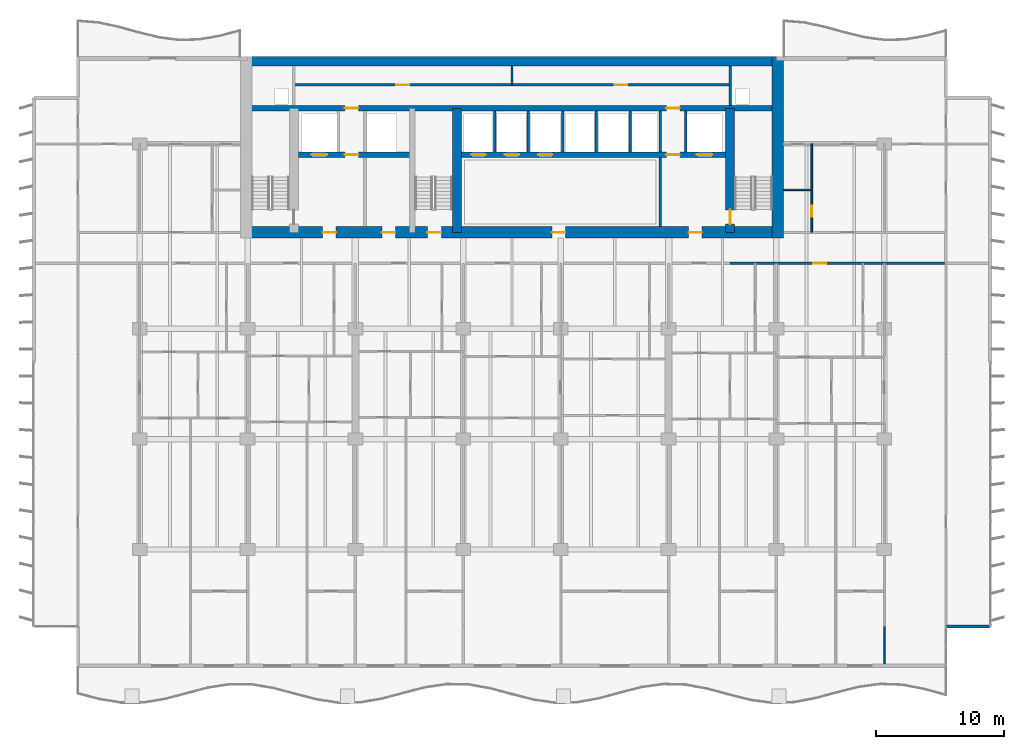
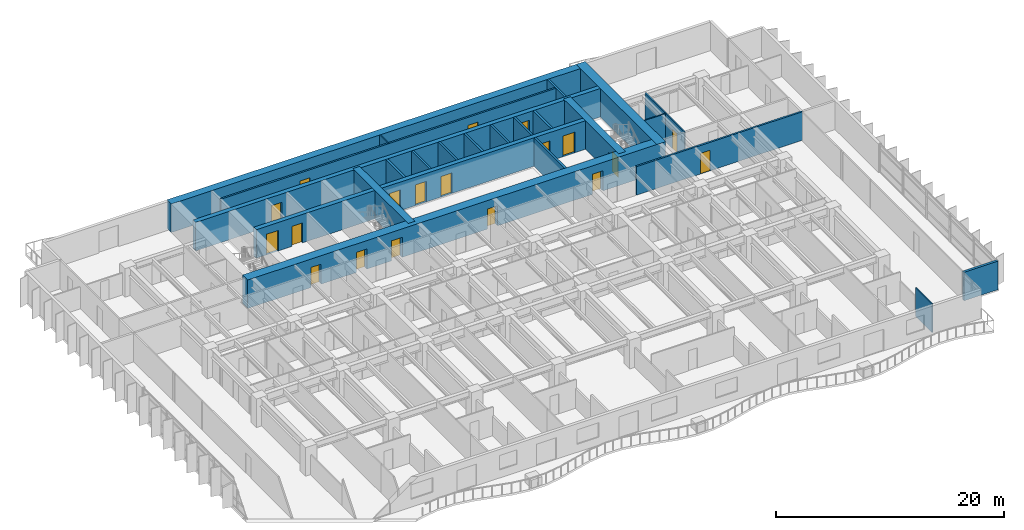
# One storey, part 11 of 17: 23 walls, 19 doors, 19 openings.
"""IFC4 building model written with IfcOpenShell, lengths in metres."""

from ifc_helpers import new_model, si_unit, direction, frame, frame_2d, origin, place, context, subcontext, project, spatial, rectangle, extrude, material, layer, layer_set, type_object, element, fill, save


model = new_model("IFC4")

# Units and contexts
model_context = context("Model", 3, precision=1e-05, world=origin(), true_north=direction((0.0, 1.0)))
body_context = subcontext(model_context, "Body", "Model", "MODEL_VIEW")
ifc_project = project(units=[si_unit("LENGTHUNIT", "METRE"), si_unit("AREAUNIT", "SQUARE_METRE"), si_unit("VOLUMEUNIT", "CUBIC_METRE"), si_unit("PLANEANGLEUNIT", "RADIAN"), si_unit("MASSUNIT", "GRAM", prefix="KILO")], contexts=[model_context])

# Site, building, storey
site_placement = place(None, origin())
site = spatial("IfcSite", under=ifc_project, at=site_placement, CompositionType="ELEMENT")
building_placement = place(site_placement, origin())
building = spatial("IfcBuilding", under=site, at=building_placement, Name="Caelmar Bay Residences", CompositionType="ELEMENT")
storey_placement = place(building_placement, frame((0.0, 0.0, 30.0)))
storey = spatial("IfcBuildingStorey", under=building, at=storey_placement, Name="L06", CompositionType="ELEMENT", Elevation=30.0)

# Wall, opening, door
ifc_material_1 = material(Name="Concrete f'c 55 MPa (8,000 psi)", Category="concrete")
ifc_layer_1 = layer(ifc_material_1, 0.699951171875)
ifc_layer_set_1 = layer_set([ifc_layer_1], Name="Concrete f'c 55 MPa (8,000 psi)")
wall_type_1 = type_object("IfcWallType", Name="SW-COR-700", PredefinedType="SHEAR", material=ifc_layer_set_1)
wall_1_placement = place(storey_placement, frame((55.89990234375, 36.89990234375, 0.0), z_axis=(0.0, 0.0, 1.0), x_axis=(0.0, 1.0, 0.0)))
wall_1 = element("IfcWall", 1, at=wall_1_placement, inside=storey, type_object=wall_type_1, Name="L06 Core Structural Web Wall ST2W", PredefinedType="SHEAR", context=body_context, shape_type="SweptSolid", body=[
    extrude(rectangle(XDim=9.675048828125, YDim=0.699951171875, at=frame_2d((4.83740234375, 0.0))), origin(), (0.0, 0.0, 1.0), 3.050048828125),
])
opening_1_placement = place(wall_1_placement, frame((0.64990234375, 0.0, 0.0)))
opening_1 = element("IfcOpeningElement", 2, at=opening_1_placement, cuts=wall_1, Name="Opening D-L06-111", PredefinedType="OPENING", context=body_context, shape_type="SweptSolid", body=[
    extrude(rectangle(XDim=1.10009765625, YDim=2.14990234375, at=frame_2d((0.550048828125, 1.074951171875))), frame((0.0, 0.35986328125, 0.0), z_axis=(0.0, -1.0, 0.0), x_axis=(1.0, 0.0, 0.0)), (0.0, 0.0, 1.0), 0.719970703125),
])
ifc_material_2 = material(Name="Fire-rated steel and walnut architectural door assembly", Category="steel")
ifc_layer_2 = layer(ifc_material_2, 0.050048828125)
ifc_layer_set_2 = layer_set([ifc_layer_2], Name="Fire-rated steel and walnut architectural door assembly")
door_type_1 = type_object("IfcDoorType", Name="D-STAIR-1100", OperationType="NOTDEFINED", PredefinedType="DOOR", material=ifc_layer_set_2)
door_1_placement = place(opening_1_placement, origin())
door_1 = element("IfcDoor", 3, at=door_1_placement, inside=storey, type_object=door_type_1, Name="L06 Firefighting Lobby East Door", OperationType="SINGLE_SWING_LEFT", OverallHeight=2.14990234375, OverallWidth=1.10009765625, PredefinedType="DOOR", context=body_context, shape_type="SweptSolid", body=[
    extrude(rectangle(XDim=1.10009765625, YDim=2.14990234375, at=frame_2d((0.550048828125, 1.074951171875))), frame((0.0, 0.02490234375, 0.0), z_axis=(0.0, -1.0, 0.0), x_axis=(1.0, 0.0, 0.0)), (0.0, 0.0, 1.0), 0.050048828125),
])
fill(opening_1, door_1)

# Wall
wall_2_placement = place(storey_placement, frame((34.60009765625, 36.89990234375, 0.0), z_axis=(0.0, 0.0, 1.0), x_axis=(0.0, 1.0, 0.0)))
element("IfcWall", 4, at=wall_2_placement, inside=storey, type_object=wall_type_1, Name="L06 Core Structural Web Wall ST3E", PredefinedType="SHEAR", context=body_context, shape_type="SweptSolid", body=[
    extrude(rectangle(XDim=9.675048828125, YDim=0.699951171875, at=frame_2d((4.83740234375, 0.0))), origin(), (0.0, 0.0, 1.0), 3.050048828125),
])

# Wall, openings, doors
ifc_material_3 = material(Name="Concrete f'c 70 MPa (10,000 psi)", Category="concrete")
ifc_layer_3 = layer(ifc_material_3, 0.89990234375)
ifc_layer_set_3 = layer_set([ifc_layer_3], Name="Concrete f'c 70 MPa (10,000 psi)")
wall_type_2 = type_object("IfcWallType", Name="SW-COR-900", PredefinedType="SHEAR", material=ifc_layer_set_3)
wall_3_placement = place(storey_placement, frame((17.75, 36.89990234375, 0.0), z_axis=(0.0, 0.0, 1.0), x_axis=(1.0, 0.0, 0.0)))
wall_3 = element("IfcWall", 5, at=wall_3_placement, inside=storey, type_object=wall_type_2, Name="L06 Rear Core South Shear Wall", PredefinedType="SHEAR", context=body_context, shape_type="SweptSolid", body=[
    extrude(rectangle(XDim=42.300048828125, YDim=0.89990234375, at=frame_2d((21.14990234375, 0.0))), origin(), (0.0, 0.0, 1.0), 3.050048828125),
])
opening_2_placement = place(wall_3_placement, frame((14.550048828125, 0.0, 0.0)))
opening_2 = element("IfcOpeningElement", 6, at=opening_2_placement, cuts=wall_3, Name="Opening D-L06-106", PredefinedType="OPENING", context=body_context, shape_type="SweptSolid", body=[
    extrude(rectangle(XDim=1.10009765625, YDim=2.14990234375, at=frame_2d((0.550048828125, 1.074951171875))), frame((0.0, 0.4599609375, 0.0), z_axis=(0.0, -1.0, 0.0), x_axis=(1.0, 0.0, 0.0)), (0.0, 0.0, 1.0), 0.919921875),
])
opening_3_placement = place(wall_3_placement, frame((6.39990234375, 0.0, 0.0)))
opening_3 = element("IfcOpeningElement", 7, at=opening_3_placement, cuts=wall_3, Name="Opening D-L06-107", PredefinedType="OPENING", context=body_context, shape_type="SweptSolid", body=[
    extrude(rectangle(XDim=1.050048828125, YDim=2.14990234375, at=frame_2d((0.52490234375, 1.074951171875))), frame((0.0, 0.4599609375, 0.0), z_axis=(0.0, -1.0, 0.0), x_axis=(1.0, 0.0, 0.0)), (0.0, 0.0, 1.0), 0.919921875),
])
opening_4_placement = place(wall_3_placement, frame((34.89990234375, 0.0, 0.0)))
opening_4 = element("IfcOpeningElement", 8, at=opening_4_placement, cuts=wall_3, Name="Opening D-L06-110", PredefinedType="OPENING", context=body_context, shape_type="SweptSolid", body=[
    extrude(rectangle(XDim=1.050048828125, YDim=2.14990234375, at=frame_2d((0.52490234375, 1.074951171875))), frame((0.0, 0.4599609375, 0.0), z_axis=(0.0, -1.0, 0.0), x_axis=(1.0, 0.0, 0.0)), (0.0, 0.0, 1.0), 0.919921875),
])
opening_5_placement = place(wall_3_placement, frame((11.012451171875, 0.0, 0.0)))
opening_5 = element("IfcOpeningElement", 9, at=opening_5_placement, cuts=wall_3, Name="Opening D-L06-113", PredefinedType="OPENING", context=body_context, shape_type="SweptSolid", body=[
    extrude(rectangle(XDim=1.050048828125, YDim=2.14990234375, at=frame_2d((0.52490234375, 1.074951171875))), frame((0.0, 0.4599609375, 0.0), z_axis=(0.0, -1.0, 0.0), x_axis=(1.0, 0.0, 0.0)), (0.0, 0.0, 1.0), 0.919921875),
])
opening_6_placement = place(wall_3_placement, frame((24.25, 0.0, 0.0)))
opening_6 = element("IfcOpeningElement", 10, at=opening_6_placement, cuts=wall_3, Name="Opening D-L06-114", PredefinedType="OPENING", context=body_context, shape_type="SweptSolid", body=[
    extrude(rectangle(XDim=1.050048828125, YDim=2.14990234375, at=frame_2d((0.52490234375, 1.074951171875))), frame((0.0, 0.4599609375, 0.0), z_axis=(0.0, -1.0, 0.0), x_axis=(1.0, 0.0, 0.0)), (0.0, 0.0, 1.0), 0.919921875),
])
ifc_layer_4 = layer(ifc_material_2, 0.050048828125)
ifc_layer_set_4 = layer_set([ifc_layer_4], Name="Fire-rated steel and walnut architectural door assembly")
door_type_2 = type_object("IfcDoorType", Name="D-FSAE-1050", OperationType="NOTDEFINED", PredefinedType="DOOR", material=ifc_layer_set_4)
door_2_placement = place(opening_3_placement, origin())
door_2 = element("IfcDoor", 11, at=door_2_placement, inside=storey, type_object=door_type_2, Name="L06 Firefighting Lobby West Door", OperationType="SINGLE_SWING_LEFT", OverallHeight=2.14990234375, OverallWidth=1.050048828125, PredefinedType="DOOR", context=body_context, shape_type="SweptSolid", body=[
    extrude(rectangle(XDim=1.050048828125, YDim=2.14990234375, at=frame_2d((0.52490234375, 1.074951171875))), frame((0.0, 0.02490234375, 0.0), z_axis=(0.0, -1.0, 0.0), x_axis=(1.0, 0.0, 0.0)), (0.0, 0.0, 1.0), 0.050048828125),
])
fill(opening_3, door_2)
door_3_placement = place(opening_4_placement, origin())
door_3 = element("IfcDoor", 12, at=door_3_placement, inside=storey, type_object=door_type_2, Name="L06 Firefighting Lobby East Door", OperationType="SINGLE_SWING_RIGHT", OverallHeight=2.14990234375, OverallWidth=1.050048828125, PredefinedType="DOOR", context=body_context, shape_type="SweptSolid", body=[
    extrude(rectangle(XDim=1.050048828125, YDim=2.14990234375, at=frame_2d((0.52490234375, 1.074951171875))), frame((0.0, 0.02490234375, 0.0), z_axis=(0.0, -1.0, 0.0), x_axis=(1.0, 0.0, 0.0)), (0.0, 0.0, 1.0), 0.050048828125),
])
fill(opening_4, door_3)
door_4_placement = place(opening_5_placement, origin())
door_4 = element("IfcDoor", 13, at=door_4_placement, inside=storey, type_object=door_type_2, Name="L06 West Lift Lobby Door", OperationType="SINGLE_SWING_LEFT", OverallHeight=2.14990234375, OverallWidth=1.050048828125, PredefinedType="DOOR", context=body_context, shape_type="SweptSolid", body=[
    extrude(rectangle(XDim=1.050048828125, YDim=2.14990234375, at=frame_2d((0.52490234375, 1.074951171875))), frame((0.0, 0.02490234375, 0.0), z_axis=(0.0, -1.0, 0.0), x_axis=(1.0, 0.0, 0.0)), (0.0, 0.0, 1.0), 0.050048828125),
])
fill(opening_5, door_4)
door_5_placement = place(opening_6_placement, origin())
door_5 = element("IfcDoor", 14, at=door_5_placement, inside=storey, type_object=door_type_2, Name="L06 Passenger Lift Lobby Door", OperationType="SINGLE_SWING_RIGHT", OverallHeight=2.14990234375, OverallWidth=1.050048828125, PredefinedType="DOOR", context=body_context, shape_type="SweptSolid", body=[
    extrude(rectangle(XDim=1.050048828125, YDim=2.14990234375, at=frame_2d((0.52490234375, 1.074951171875))), frame((0.0, 0.02490234375, 0.0), z_axis=(0.0, -1.0, 0.0), x_axis=(1.0, 0.0, 0.0)), (0.0, 0.0, 1.0), 0.050048828125),
])
fill(opening_6, door_5)
door_6_placement = place(opening_2_placement, origin())
door_6 = element("IfcDoor", 15, at=door_6_placement, inside=storey, type_object=door_type_1, Name="L06 Exit Stair ST3 Door", OperationType="SINGLE_SWING_RIGHT", OverallHeight=2.14990234375, OverallWidth=1.10009765625, PredefinedType="DOOR", context=body_context, shape_type="SweptSolid", body=[
    extrude(rectangle(XDim=1.10009765625, YDim=2.14990234375, at=frame_2d((0.550048828125, 1.074951171875))), frame((0.0, 0.02490234375, 0.0), z_axis=(0.0, -1.0, 0.0), x_axis=(1.0, 0.0, 0.0)), (0.0, 0.0, 1.0), 0.050048828125),
])
fill(opening_2, door_6)

# Walls
wall_4_placement = place(storey_placement, frame((59.60009765625, 36.449951171875, 0.0), z_axis=(0.0, 0.0, 1.0), x_axis=(0.0, 1.0, 0.0)))
element("IfcWall", 16, at=wall_4_placement, inside=storey, type_object=wall_type_2, Name="L06 Rear Core East Shear Wall", PredefinedType="SHEAR", context=body_context, shape_type="SweptSolid", body=[
    extrude(rectangle(XDim=14.150146484375, YDim=0.89990234375, at=frame_2d((7.0751953125, 0.0))), origin(), (0.0, 0.0, 1.0), 3.050048828125),
])
ifc_layer_5 = layer(ifc_material_3, 0.75)
ifc_layer_set_5 = layer_set([ifc_layer_5], Name="Concrete f'c 70 MPa (10,000 psi)")
wall_type_3 = type_object("IfcWallType", Name="SW-CORN-750", PredefinedType="SHEAR", material=ifc_layer_set_5)
wall_5_placement = place(storey_placement, frame((17.75, 50.22509765625, 0.0), z_axis=(0.0, 0.0, 1.0), x_axis=(1.0, 0.0, 0.0)))
element("IfcWall", 17, at=wall_5_placement, inside=storey, type_object=wall_type_3, Name="L06 Rear Core North Shear Wall", PredefinedType="SHEAR", context=body_context, shape_type="SweptSolid", body=[
    extrude(rectangle(XDim=42.300048828125, YDim=0.75, at=frame_2d((21.14990234375, 0.0))), origin(), (0.0, 0.0, 1.0), 3.050048828125),
])

# Wall, openings, doors
ifc_layer_6 = layer(ifc_material_3, 0.449951171875)
ifc_layer_set_6 = layer_set([ifc_layer_6], Name="Concrete f'c 70 MPa (10,000 psi)")
wall_type_4 = type_object("IfcWallType", Name="SW-WEB-450", PredefinedType="SHEAR", material=ifc_layer_set_6)
wall_6_placement = place(storey_placement, frame((22.25, 42.949951171875, 0.0), z_axis=(0.0, 0.0, 1.0), x_axis=(1.0, 0.0, 0.0)))
wall_6 = element("IfcWall", 18, at=wall_6_placement, inside=storey, type_object=wall_type_4, Name="L06 Core Structural Web Wall LFR", PredefinedType="SHEAR", context=body_context, shape_type="SweptSolid", body=[
    extrude(rectangle(XDim=33.300048828125, YDim=0.449951171875, at=frame_2d((16.64990234375, 0.0))), origin(), (0.0, 0.0, 1.0), 3.050048828125),
])
opening_7_placement = place(wall_6_placement, frame((1.050048828125, 0.0, 0.0)))
opening_7 = element("IfcOpeningElement", 19, at=opening_7_placement, cuts=wall_6, Name="Opening LD2", PredefinedType="OPENING", context=body_context, shape_type="SweptSolid", body=[
    extrude(rectangle(XDim=1.199951171875, YDim=2.199951171875, at=frame_2d((0.60009765625, 1.10009765625))), frame((0.0, 0.23486328125, 0.0), z_axis=(0.0, -1.0, 0.0), x_axis=(1.0, 0.0, 0.0)), (0.0, 0.0, 1.0), 0.469970703125),
])
opening_8_placement = place(wall_6_placement, frame((31.050048828125, 0.0, 0.0)))
opening_8 = element("IfcOpeningElement", 20, at=opening_8_placement, cuts=wall_6, Name="Opening LD2", PredefinedType="OPENING", context=body_context, shape_type="SweptSolid", body=[
    extrude(rectangle(XDim=1.199951171875, YDim=2.199951171875, at=frame_2d((0.60009765625, 1.10009765625))), frame((0.0, 0.23486328125, 0.0), z_axis=(0.0, -1.0, 0.0), x_axis=(1.0, 0.0, 0.0)), (0.0, 0.0, 1.0), 0.469970703125),
])
opening_9_placement = place(wall_6_placement, frame((13.5, 0.0, 0.0)))
opening_9 = element("IfcOpeningElement", 21, at=opening_9_placement, cuts=wall_6, Name="Opening LD1", PredefinedType="OPENING", context=body_context, shape_type="SweptSolid", body=[
    extrude(rectangle(XDim=1.10009765625, YDim=2.199951171875, at=frame_2d((0.550048828125, 1.10009765625))), frame((0.0, 0.23486328125, 0.0), z_axis=(0.0, -1.0, 0.0), x_axis=(1.0, 0.0, 0.0)), (0.0, 0.0, 1.0), 0.469970703125),
])
opening_10_placement = place(wall_6_placement, frame((16.10009765625, 0.0, 0.0)))
opening_10 = element("IfcOpeningElement", 22, at=opening_10_placement, cuts=wall_6, Name="Opening LD1", PredefinedType="OPENING", context=body_context, shape_type="SweptSolid", body=[
    extrude(rectangle(XDim=1.10009765625, YDim=2.199951171875, at=frame_2d((0.550048828125, 1.10009765625))), frame((0.0, 0.23486328125, 0.0), z_axis=(0.0, -1.0, 0.0), x_axis=(1.0, 0.0, 0.0)), (0.0, 0.0, 1.0), 0.469970703125),
])
opening_11_placement = place(wall_6_placement, frame((18.699951171875, 0.0, 0.0)))
opening_11 = element("IfcOpeningElement", 23, at=opening_11_placement, cuts=wall_6, Name="Opening LD1", PredefinedType="OPENING", context=body_context, shape_type="SweptSolid", body=[
    extrude(rectangle(XDim=1.10009765625, YDim=2.199951171875, at=frame_2d((0.550048828125, 1.10009765625))), frame((0.0, 0.23486328125, 0.0), z_axis=(0.0, -1.0, 0.0), x_axis=(1.0, 0.0, 0.0)), (0.0, 0.0, 1.0), 0.469970703125),
])
opening_12_placement = place(wall_6_placement, frame((3.625, 0.0, 0.0)))
opening_12 = element("IfcOpeningElement", 24, at=opening_12_placement, cuts=wall_6, Name="Opening D-L06-109", PredefinedType="OPENING", context=body_context, shape_type="SweptSolid", body=[
    extrude(rectangle(XDim=1.050048828125, YDim=2.14990234375, at=frame_2d((0.52490234375, 1.074951171875))), frame((0.0, 0.23486328125, 0.0), z_axis=(0.0, -1.0, 0.0), x_axis=(1.0, 0.0, 0.0)), (0.0, 0.0, 1.0), 0.469970703125),
])
opening_13_placement = place(wall_6_placement, frame((28.675048828125, 0.0, 0.0)))
opening_13 = element("IfcOpeningElement", 25, at=opening_13_placement, cuts=wall_6, Name="Opening D-L06-112", PredefinedType="OPENING", context=body_context, shape_type="SweptSolid", body=[
    extrude(rectangle(XDim=1.050048828125, YDim=2.14990234375, at=frame_2d((0.52490234375, 1.074951171875))), frame((0.0, 0.23486328125, 0.0), z_axis=(0.0, -1.0, 0.0), x_axis=(1.0, 0.0, 0.0)), (0.0, 0.0, 1.0), 0.469970703125),
])
door_7_placement = place(opening_12_placement, origin())
door_7 = element("IfcDoor", 26, at=door_7_placement, inside=storey, type_object=door_type_2, Name="L06 Firefighting Lobby West Door", OperationType="SINGLE_SWING_LEFT", OverallHeight=2.14990234375, OverallWidth=1.050048828125, PredefinedType="DOOR", context=body_context, shape_type="SweptSolid", body=[
    extrude(rectangle(XDim=1.050048828125, YDim=2.14990234375, at=frame_2d((0.52490234375, 1.074951171875))), frame((0.0, 0.02490234375, 0.0), z_axis=(0.0, -1.0, 0.0), x_axis=(1.0, 0.0, 0.0)), (0.0, 0.0, 1.0), 0.050048828125),
])
fill(opening_12, door_7)
door_8_placement = place(opening_13_placement, origin())
door_8 = element("IfcDoor", 27, at=door_8_placement, inside=storey, type_object=door_type_2, Name="L06 Firefighting Lobby East Door", OperationType="SINGLE_SWING_RIGHT", OverallHeight=2.14990234375, OverallWidth=1.050048828125, PredefinedType="DOOR", context=body_context, shape_type="SweptSolid", body=[
    extrude(rectangle(XDim=1.050048828125, YDim=2.14990234375, at=frame_2d((0.52490234375, 1.074951171875))), frame((0.0, 0.02490234375, 0.0), z_axis=(0.0, -1.0, 0.0), x_axis=(1.0, 0.0, 0.0)), (0.0, 0.0, 1.0), 0.050048828125),
])
fill(opening_13, door_8)
ifc_material_4 = material(Name="Brushed bronze stainless-steel fire-rated lift landing doors", Category="steel")
ifc_layer_7 = layer(ifc_material_4, 0.050048828125)
ifc_layer_set_7 = layer_set([ifc_layer_7], Name="Brushed bronze stainless-steel fire-rated lift landing doors")
door_type_3 = type_object("IfcDoorType", Name="D-LND-1100", OperationType="DOUBLE_DOOR_SLIDING", PredefinedType="DOOR", material=ifc_layer_set_7)
door_9_placement = place(opening_9_placement, origin())
door_9 = element("IfcDoor", 28, at=door_9_placement, inside=storey, type_object=door_type_3, Name="L06 LP1 Sliding Landing Door", OperationType="DOUBLE_DOOR_SLIDING", OverallHeight=2.199951171875, OverallWidth=1.10009765625, PredefinedType="DOOR", context=body_context, shape_type="SweptSolid", body=[
    extrude(rectangle(XDim=1.10009765625, YDim=2.199951171875, at=frame_2d((0.550048828125, 1.10009765625))), frame((0.0, 0.02490234375, 0.0), z_axis=(0.0, -1.0, 0.0), x_axis=(1.0, 0.0, 0.0)), (0.0, 0.0, 1.0), 0.050048828125),
])
fill(opening_9, door_9)
door_10_placement = place(opening_10_placement, origin())
door_10 = element("IfcDoor", 29, at=door_10_placement, inside=storey, type_object=door_type_3, Name="L06 LP2 Sliding Landing Door", OperationType="DOUBLE_DOOR_SLIDING", OverallHeight=2.199951171875, OverallWidth=1.10009765625, PredefinedType="DOOR", context=body_context, shape_type="SweptSolid", body=[
    extrude(rectangle(XDim=1.10009765625, YDim=2.199951171875, at=frame_2d((0.550048828125, 1.10009765625))), frame((0.0, 0.02490234375, 0.0), z_axis=(0.0, -1.0, 0.0), x_axis=(1.0, 0.0, 0.0)), (0.0, 0.0, 1.0), 0.050048828125),
])
fill(opening_10, door_10)
door_11_placement = place(opening_11_placement, origin())
door_11 = element("IfcDoor", 30, at=door_11_placement, inside=storey, type_object=door_type_3, Name="L06 LP3 Sliding Landing Door", OperationType="DOUBLE_DOOR_SLIDING", OverallHeight=2.199951171875, OverallWidth=1.10009765625, PredefinedType="DOOR", context=body_context, shape_type="SweptSolid", body=[
    extrude(rectangle(XDim=1.10009765625, YDim=2.199951171875, at=frame_2d((0.550048828125, 1.10009765625))), frame((0.0, 0.02490234375, 0.0), z_axis=(0.0, -1.0, 0.0), x_axis=(1.0, 0.0, 0.0)), (0.0, 0.0, 1.0), 0.050048828125),
])
fill(opening_11, door_11)
ifc_material_5 = material(Name="Brushed stainless-steel FSAE sliding landing door", Category="steel")
ifc_layer_8 = layer(ifc_material_5, 0.050048828125)
ifc_layer_set_8 = layer_set([ifc_layer_8], Name="Brushed stainless-steel FSAE sliding landing door")
door_type_4 = type_object("IfcDoorType", Name="D-LND-1200", OperationType="DOUBLE_DOOR_SLIDING", PredefinedType="DOOR", material=ifc_layer_set_8)
door_12_placement = place(opening_7_placement, origin())
door_12 = element("IfcDoor", 31, at=door_12_placement, inside=storey, type_object=door_type_4, Name="L06 LF1 Sliding Landing Door", OperationType="DOUBLE_DOOR_SLIDING", OverallHeight=2.199951171875, OverallWidth=1.199951171875, PredefinedType="DOOR", context=body_context, shape_type="SweptSolid", body=[
    extrude(rectangle(XDim=1.199951171875, YDim=2.199951171875, at=frame_2d((0.60009765625, 1.10009765625))), frame((0.0, 0.02490234375, 0.0), z_axis=(0.0, -1.0, 0.0), x_axis=(1.0, 0.0, 0.0)), (0.0, 0.0, 1.0), 0.050048828125),
])
fill(opening_7, door_12)
door_13_placement = place(opening_8_placement, origin())
door_13 = element("IfcDoor", 32, at=door_13_placement, inside=storey, type_object=door_type_4, Name="L06 LF2 Sliding Landing Door", OperationType="DOUBLE_DOOR_SLIDING", OverallHeight=2.199951171875, OverallWidth=1.199951171875, PredefinedType="DOOR", context=body_context, shape_type="SweptSolid", body=[
    extrude(rectangle(XDim=1.199951171875, YDim=2.199951171875, at=frame_2d((0.60009765625, 1.10009765625))), frame((0.0, 0.02490234375, 0.0), z_axis=(0.0, -1.0, 0.0), x_axis=(1.0, 0.0, 0.0)), (0.0, 0.0, 1.0), 0.050048828125),
])
fill(opening_8, door_13)

wall_7_placement = place(storey_placement, frame((18.199951171875, 46.574951171875, 0.0), z_axis=(0.0, 0.0, 1.0), x_axis=(1.0, 0.0, 0.0)))
wall_7 = element("IfcWall", 33, at=wall_7_placement, inside=storey, type_object=wall_type_4, Name="L06 Core Structural Web Wall SRVS", PredefinedType="SHEAR", context=body_context, shape_type="SweptSolid", body=[
    extrude(rectangle(XDim=41.400146484375, YDim=0.449951171875, at=frame_2d((20.7001953125, 0.0))), origin(), (0.0, 0.0, 1.0), 3.050048828125),
])
opening_14_placement = place(wall_7_placement, frame((7.675048828125, 0.0, 0.0)))
opening_14 = element("IfcOpeningElement", 34, at=opening_14_placement, cuts=wall_7, Name="Opening D-L06-115", PredefinedType="OPENING", context=body_context, shape_type="SweptSolid", body=[
    extrude(rectangle(XDim=1.050048828125, YDim=2.14990234375, at=frame_2d((0.52490234375, 1.074951171875))), frame((0.0, 0.23486328125, 0.0), z_axis=(0.0, -1.0, 0.0), x_axis=(1.0, 0.0, 0.0)), (0.0, 0.0, 1.0), 0.469970703125),
])
opening_15_placement = place(wall_7_placement, frame((32.72509765625, 0.0, 0.0)))
opening_15 = element("IfcOpeningElement", 35, at=opening_15_placement, cuts=wall_7, Name="Opening D-L06-116", PredefinedType="OPENING", context=body_context, shape_type="SweptSolid", body=[
    extrude(rectangle(XDim=1.050048828125, YDim=2.14990234375, at=frame_2d((0.52490234375, 1.074951171875))), frame((0.0, 0.23486328125, 0.0), z_axis=(0.0, -1.0, 0.0), x_axis=(1.0, 0.0, 0.0)), (0.0, 0.0, 1.0), 0.469970703125),
])
door_14_placement = place(opening_14_placement, origin())
door_14 = element("IfcDoor", 36, at=door_14_placement, inside=storey, type_object=door_type_2, Name="L06 Core Service Corridor Door", OperationType="SINGLE_SWING_LEFT", OverallHeight=2.14990234375, OverallWidth=1.050048828125, PredefinedType="DOOR", context=body_context, shape_type="SweptSolid", body=[
    extrude(rectangle(XDim=1.050048828125, YDim=2.14990234375, at=frame_2d((0.52490234375, 1.074951171875))), frame((0.0, 0.02490234375, 0.0), z_axis=(0.0, -1.0, 0.0), x_axis=(1.0, 0.0, 0.0)), (0.0, 0.0, 1.0), 0.050048828125),
])
fill(opening_14, door_14)
door_15_placement = place(opening_15_placement, origin())
door_15 = element("IfcDoor", 37, at=door_15_placement, inside=storey, type_object=door_type_2, Name="L06 Core Service Corridor Door", OperationType="SINGLE_SWING_RIGHT", OverallHeight=2.14990234375, OverallWidth=1.050048828125, PredefinedType="DOOR", context=body_context, shape_type="SweptSolid", body=[
    extrude(rectangle(XDim=1.050048828125, YDim=2.14990234375, at=frame_2d((0.52490234375, 1.074951171875))), frame((0.0, 0.02490234375, 0.0), z_axis=(0.0, -1.0, 0.0), x_axis=(1.0, 0.0, 0.0)), (0.0, 0.0, 1.0), 0.050048828125),
])
fill(opening_15, door_15)

# Wall, opening, door
ifc_material_6 = material(Name="Double-stud acoustic fire-rated gypsum partition 180 mm")
ifc_layer_9 = layer(ifc_material_6, 0.179931640625)
ifc_layer_set_9 = layer_set([ifc_layer_9], Name="Double-stud acoustic fire-rated gypsum partition 180 mm")
wall_type_5 = type_object("IfcWallType", Name="W-COR-200", PredefinedType="PARTITIONING", material=ifc_layer_set_9)
wall_8_placement = place(storey_placement, frame((55.89990234375, 34.5, 0.0), z_axis=(0.0, 0.0, 1.0), x_axis=(1.0, 0.0, 0.0)))
wall_8 = element("IfcWall", 38, at=wall_8_placement, inside=storey, type_object=wall_type_5, Name="L06 Partition Wall H125", PredefinedType="PARTITIONING", context=body_context, shape_type="SweptSolid", body=[
    extrude(rectangle(XDim=16.800048828125, YDim=0.179931640625, at=frame_2d((8.39990234375, 0.0))), origin(), (0.0, 0.0, 1.0), 3.050048828125),
])
opening_16_placement = place(wall_8_placement, frame((6.47509765625, 0.0, 0.0)))
opening_16 = element("IfcOpeningElement", 39, at=opening_16_placement, cuts=wall_8, Name="Opening D-L06-157", PredefinedType="OPENING", context=body_context, shape_type="SweptSolid", body=[
    extrude(rectangle(XDim=1.0, YDim=2.199951171875, at=frame_2d((0.5, 1.10009765625))), frame((0.0, 0.099853515625, 0.0), z_axis=(0.0, -1.0, 0.0), x_axis=(1.0, 0.0, 0.0)), (0.0, 0.0, 1.0), 0.199951171875),
])
ifc_layer_10 = layer(ifc_material_2, 0.050048828125)
ifc_layer_set_10 = layer_set([ifc_layer_10], Name="Fire-rated steel and walnut architectural door assembly")
door_type_5 = type_object("IfcDoorType", Name="D-UNIT-1000", OperationType="NOTDEFINED", PredefinedType="DOOR", material=ifc_layer_set_10)
door_16_placement = place(opening_16_placement, origin())
door_16 = element("IfcDoor", 40, at=door_16_placement, inside=storey, type_object=door_type_5, Name="L06 Residence 06 Apartment Hall Door", OperationType="SINGLE_SWING_LEFT", OverallHeight=2.199951171875, OverallWidth=1.0, PredefinedType="DOOR", context=body_context, shape_type="SweptSolid", body=[
    extrude(rectangle(XDim=1.0, YDim=2.199951171875, at=frame_2d((0.5, 1.10009765625))), frame((0.0, 0.02490234375, 0.0), z_axis=(0.0, -1.0, 0.0), x_axis=(1.0, 0.0, 0.0)), (0.0, 0.0, 1.0), 0.050048828125),
])
fill(opening_16, door_16)

# Wall, openings, doors
wall_9_placement = place(storey_placement, frame((21.89990234375, 48.39990234375, 0.0), z_axis=(0.0, 0.0, 1.0), x_axis=(1.0, 0.0, 0.0)))
wall_9 = element("IfcWall", 41, at=wall_9_placement, inside=storey, type_object=wall_type_5, Name="L06 Partition Wall H133", PredefinedType="PARTITIONING", context=body_context, shape_type="SweptSolid", body=[
    extrude(rectangle(XDim=33.986083984375, YDim=0.179931640625, at=frame_2d((16.9931640625, 0.0))), origin(), (0.0, 0.0, 1.0), 3.050048828125),
])
opening_17_placement = place(wall_9_placement, frame((8.0, 0.0, 0.0)))
opening_17 = element("IfcOpeningElement", 42, at=opening_17_placement, cuts=wall_9, Name="Opening D-L06-117", PredefinedType="OPENING", context=body_context, shape_type="SweptSolid", body=[
    extrude(rectangle(XDim=1.0, YDim=2.199951171875, at=frame_2d((0.5, 1.10009765625))), frame((0.0, 0.099853515625, 0.0), z_axis=(0.0, -1.0, 0.0), x_axis=(1.0, 0.0, 0.0)), (0.0, 0.0, 1.0), 0.199951171875),
])
opening_18_placement = place(wall_9_placement, frame((24.992919921875, 0.0, 0.0)))
opening_18 = element("IfcOpeningElement", 43, at=opening_18_placement, cuts=wall_9, Name="Opening D-L06-118", PredefinedType="OPENING", context=body_context, shape_type="SweptSolid", body=[
    extrude(rectangle(XDim=1.0, YDim=2.199951171875, at=frame_2d((0.5, 1.10009765625))), frame((0.0, 0.099853515625, 0.0), z_axis=(0.0, -1.0, 0.0), x_axis=(1.0, 0.0, 0.0)), (0.0, 0.0, 1.0), 0.199951171875),
])
door_17_placement = place(opening_17_placement, origin())
door_17 = element("IfcDoor", 44, at=door_17_placement, inside=storey, type_object=door_type_5, Name="L06 Building Management Office Door", OperationType="SINGLE_SWING_LEFT", OverallHeight=2.199951171875, OverallWidth=1.0, PredefinedType="DOOR", context=body_context, shape_type="SweptSolid", body=[
    extrude(rectangle(XDim=1.0, YDim=2.199951171875, at=frame_2d((0.5, 1.10009765625))), frame((0.0, 0.02490234375, 0.0), z_axis=(0.0, -1.0, 0.0), x_axis=(1.0, 0.0, 0.0)), (0.0, 0.0, 1.0), 0.050048828125),
])
fill(opening_17, door_17)
door_18_placement = place(opening_18_placement, origin())
door_18 = element("IfcDoor", 45, at=door_18_placement, inside=storey, type_object=door_type_5, Name="L06 Concierge Operations Office Door", OperationType="SINGLE_SWING_RIGHT", OverallHeight=2.199951171875, OverallWidth=1.0, PredefinedType="DOOR", context=body_context, shape_type="SweptSolid", body=[
    extrude(rectangle(XDim=1.0, YDim=2.199951171875, at=frame_2d((0.5, 1.10009765625))), frame((0.0, 0.02490234375, 0.0), z_axis=(0.0, -1.0, 0.0), x_axis=(1.0, 0.0, 0.0)), (0.0, 0.0, 1.0), 0.050048828125),
])
fill(opening_18, door_18)

# Walls
ifc_material_7 = material(Name="Precast concrete f'c 40 MPa (6,000 psi)", Category="concrete")
ifc_layer_11 = layer(ifc_material_7, 0.25)
ifc_layer_set_11 = layer_set([ifc_layer_11], Name="Precast concrete f'c 40 MPa (6,000 psi)")
wall_type_6 = type_object("IfcWallType", Name="W-EXT-250", PredefinedType="ELEMENTEDWALL", material=ifc_layer_set_11)
wall_10_placement = place(storey_placement, frame((72.699951171875, 6.199951171875, 0.0), z_axis=(0.0, 0.0, 1.0), x_axis=(1.0, 0.0, 0.0)))
element("IfcWall", 46, at=wall_10_placement, inside=storey, type_object=wall_type_6, Name="L06 SE Notch Return Wall", PredefinedType="ELEMENTEDWALL", context=body_context, shape_type="SweptSolid", body=[
    extrude(rectangle(XDim=3.449951171875, YDim=0.25, at=frame_2d((1.72509765625, 0.0))), origin(), (0.0, 0.0, 1.0), 3.050048828125),
])
ifc_material_8 = material(Name="Fire-rated masonry and gypsum shaftliner assembly 200 mm", Category="masonry")
ifc_layer_12 = layer(ifc_material_8, 0.199951171875)
ifc_layer_set_12 = layer_set([ifc_layer_12], Name="Fire-rated masonry and gypsum shaftliner assembly 200 mm")
wall_type_7 = type_object("IfcWallType", Name="W-FSAE-200", PredefinedType="PARTITIONING", material=ifc_layer_set_12)
for number, where, z_axis, x_axis, name in (
    (47, (37.550048828125, 43.169921875, 0.0), (0.0, 0.0, 1.0), (0.0, 1.0, 0.0), "L06 Partition Wall V047"),
    (48, (40.14990234375, 43.169921875, 0.0), (0.0, 0.0, 1.0), (0.0, 1.0, 0.0), "L06 Partition Wall V049"),
    (49, (42.85009765625, 43.169921875, 0.0), (0.0, 0.0, 1.0), (0.0, 1.0, 0.0), "L06 Partition Wall V057"),
    (50, (45.449951171875, 43.169921875, 0.0), (0.0, 0.0, 1.0), (0.0, 1.0, 0.0), "L06 Partition Wall V058"),
    (51, (48.10009765625, 43.169921875, 0.0), (0.0, 0.0, 1.0), (0.0, 1.0, 0.0), "L06 Partition Wall V059"),
):
    element("IfcWall", number, at=place(storey_placement, frame(where, z_axis=z_axis, x_axis=x_axis)), inside=storey, type_object=wall_type_7, Name=name, PredefinedType="PARTITIONING", context=body_context, shape_type="SweptSolid", body=[
        extrude(rectangle(XDim=3.18505859375, YDim=0.199951171875, at=frame_2d((1.592529296875, 0.0))), origin(), (0.0, 0.0, 1.0), 3.050048828125),
    ])
wall_11_placement = place(storey_placement, frame((50.449951171875, 37.344970703125, 0.0), z_axis=(0.0, 0.0, 1.0), x_axis=(0.0, 1.0, 0.0)))
element("IfcWall", 52, at=wall_11_placement, inside=storey, type_object=wall_type_7, Name="L06 Partition Wall V063", PredefinedType="PARTITIONING", context=body_context, shape_type="SweptSolid", body=[
    extrude(rectangle(XDim=5.385009765625, YDim=0.199951171875, at=frame_2d((2.6923828125, 0.0))), origin(), (0.0, 0.0, 1.0), 3.050048828125),
])
for number, where, z_axis, x_axis, name in (
    (53, (50.449951171875, 43.169921875, 0.0), (0.0, 0.0, 1.0), (0.0, 1.0, 0.0), "L06 Partition Wall V064"),
    (54, (52.449951171875, 43.169921875, 0.0), (0.0, 0.0, 1.0), (0.0, 1.0, 0.0), "L06 Partition Wall V068"),
):
    element("IfcWall", number, at=place(storey_placement, frame(where, z_axis=z_axis, x_axis=x_axis)), inside=storey, type_object=wall_type_7, Name=name, PredefinedType="PARTITIONING", context=body_context, shape_type="SweptSolid", body=[
        extrude(rectangle(XDim=3.18505859375, YDim=0.199951171875, at=frame_2d((1.592529296875, 0.0))), origin(), (0.0, 0.0, 1.0), 3.050048828125),
    ])
wall_12_placement = place(storey_placement, frame((55.89990234375, 46.794921875, 0.0), z_axis=(0.0, 0.0, 1.0), x_axis=(0.0, 1.0, 0.0)))
element("IfcWall", 55, at=wall_12_placement, inside=storey, type_object=wall_type_7, Name="L06 Partition Wall V073", PredefinedType="PARTITIONING", context=body_context, shape_type="SweptSolid", body=[
    extrude(rectangle(XDim=3.06005859375, YDim=0.199951171875, at=frame_2d((1.530029296875, 0.0))), origin(), (0.0, 0.0, 1.0), 3.050048828125),
])
ifc_material_9 = material(Name="Acoustic metal-stud gypsum partition 120 mm")
ifc_layer_13 = layer(ifc_material_9, 0.1201171875)
ifc_layer_set_13 = layer_set([ifc_layer_13], Name="Acoustic metal-stud gypsum partition 120 mm")
wall_type_8 = type_object("IfcWallType", Name="W-PRT-120", PredefinedType="PARTITIONING", material=ifc_layer_set_13)
wall_13_placement = place(storey_placement, frame((38.89990234375, 48.39990234375, 0.0), z_axis=(0.0, 0.0, 1.0), x_axis=(0.0, 1.0, 0.0)))
element("IfcWall", 56, at=wall_13_placement, inside=storey, type_object=wall_type_8, Name="L06 Partition Wall V048", PredefinedType="PARTITIONING", context=body_context, shape_type="SweptSolid", body=[
    extrude(rectangle(XDim=1.455078125, YDim=0.1201171875, at=frame_2d((0.7275390625, 0.0))), origin(), (0.0, 0.0, 1.0), 3.050048828125),
])

# Wall, opening, door
wall_14_placement = place(storey_placement, frame((62.25, 36.89990234375, 0.0), z_axis=(0.0, 0.0, 1.0), x_axis=(0.0, 1.0, 0.0)))
wall_14 = element("IfcWall", 57, at=wall_14_placement, inside=storey, type_object=wall_type_8, Name="L06 Partition Wall V080", PredefinedType="PARTITIONING", context=body_context, shape_type="SweptSolid", body=[
    extrude(rectangle(XDim=6.900146484375, YDim=0.1201171875, at=frame_2d((3.4501953125, 0.0))), origin(), (0.0, 0.0, 1.0), 3.050048828125),
])
opening_19_placement = place(wall_14_placement, frame((1.23095703125, 0.0, 0.0)))
opening_19 = element("IfcOpeningElement", 58, at=opening_19_placement, cuts=wall_14, Name="Opening D-L06-177", PredefinedType="OPENING", context=body_context, shape_type="SweptSolid", body=[
    extrude(rectangle(XDim=0.85009765625, YDim=2.10009765625, at=frame_2d((0.425048828125, 1.050048828125))), frame((0.0, 0.070068359375, 0.0), z_axis=(0.0, -1.0, 0.0), x_axis=(1.0, 0.0, 0.0)), (0.0, 0.0, 1.0), 0.14013671875),
])
ifc_material_10 = material(Name="Solid walnut timber interior door leaf and frame", Category="wood")
ifc_layer_14 = layer(ifc_material_10, 0.050048828125)
ifc_layer_set_14 = layer_set([ifc_layer_14], Name="Solid walnut timber interior door leaf and frame")
door_type_6 = type_object("IfcDoorType", Name="D-BATH-850", OperationType="NOTDEFINED", PredefinedType="DOOR", material=ifc_layer_set_14)
door_19_placement = place(opening_19_placement, origin())
door_19 = element("IfcDoor", 59, at=door_19_placement, inside=storey, type_object=door_type_6, Name="L06 Residence EA Walk-In Closet Door", OperationType="SINGLE_SWING_LEFT", OverallHeight=2.10009765625, OverallWidth=0.85009765625, PredefinedType="DOOR", context=body_context, shape_type="SweptSolid", body=[
    extrude(rectangle(XDim=0.85009765625, YDim=2.10009765625, at=frame_2d((0.425048828125, 1.050048828125))), frame((0.0, 0.02490234375, 0.0), z_axis=(0.0, -1.0, 0.0), x_axis=(1.0, 0.0, 0.0)), (0.0, 0.0, 1.0), 0.050048828125),
])
fill(opening_19, door_19)

# Walls
wall_15_placement = place(storey_placement, frame((67.89990234375, 3.294921875, 0.0), z_axis=(0.0, 0.0, 1.0), x_axis=(0.0, 1.0, 0.0)))
element("IfcWall", 60, at=wall_15_placement, inside=storey, type_object=wall_type_8, Name="L06 Partition Wall V087", PredefinedType="PARTITIONING", context=body_context, shape_type="SweptSolid", body=[
    extrude(rectangle(XDim=2.905029296875, YDim=0.1201171875, at=frame_2d((1.45263671875, 0.0))), origin(), (0.0, 0.0, 1.0), 3.050048828125),
])
wall_16_placement = place(storey_placement, frame((60.044921875, 40.2119140625, 0.0), z_axis=(0.0, 0.0, 1.0), x_axis=(1.0, 0.0, 0.0)))
element("IfcWall", 61, at=wall_16_placement, inside=storey, type_object=wall_type_8, Name="L06 Partition Wall H130", PredefinedType="PARTITIONING", context=body_context, shape_type="SweptSolid", body=[
    extrude(rectangle(XDim=2.205078125, YDim=0.1201171875, at=frame_2d((1.1025390625, 0.0))), origin(), (0.0, 0.0, 1.0), 3.050048828125),
])

save(model, "model.ifc")
